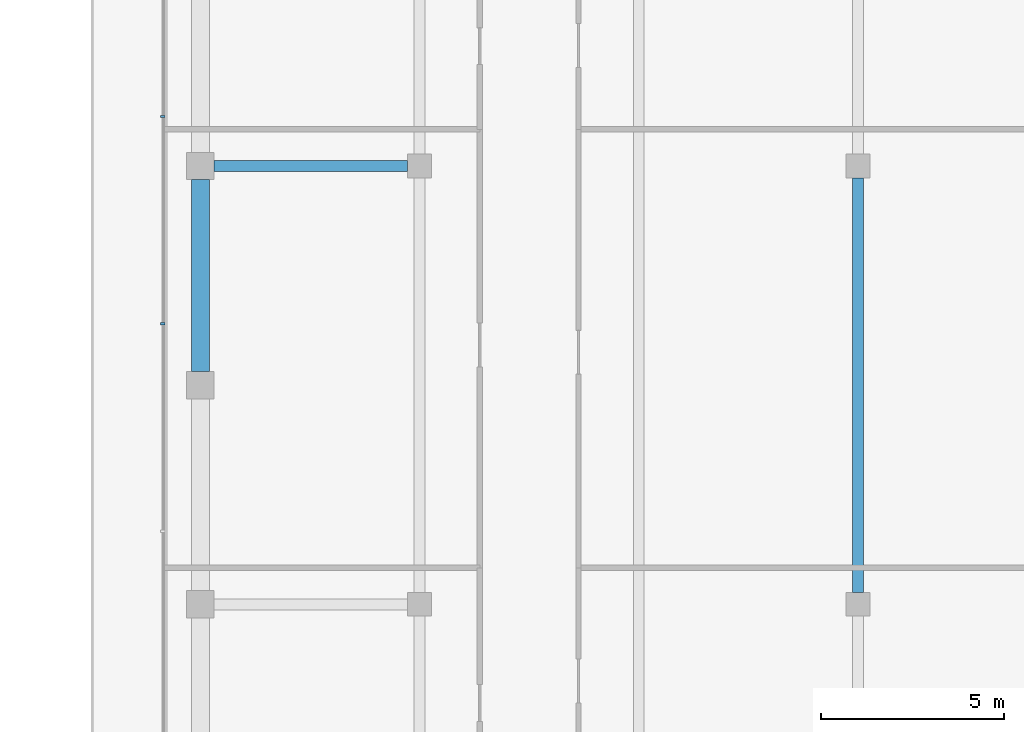
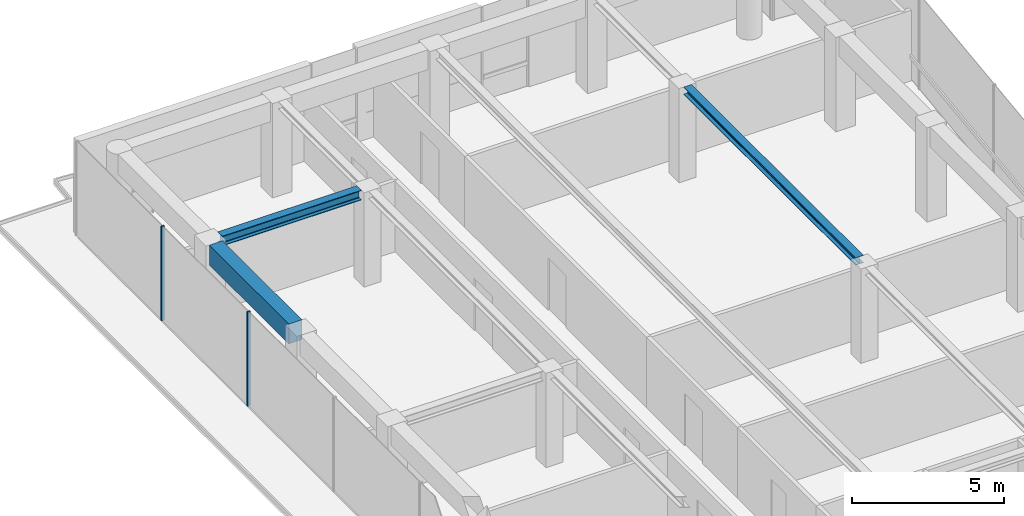
# One storey, part 10 of 22: 3 beams, 2 members, 1 element without a shape of its own.
"""IFC4 building model written with IfcOpenShell, lengths in metres."""

import ifcopenshell
import ifcopenshell.guid

model = None  # the IFC model being written
_history = None  # IfcOwnerHistory: only IFC2X3 demands one
_inside = {}  # id of a spatial element -> (the spatial element, [elements in it])
_under = {}  # id of a project, library or spatial element -> (it, [spatial elements below it])
_declared = {}  # id of a project -> (the project, [libraries it declares])
_typed = {}  # id of a type object -> (the type object, [elements of that type])
_made_of = {}  # id of a material, layer set ... -> (it, [elements and type objects made of it])


def new_model(schema):
    """Start an empty IFC model of exactly this schema.

    Asked for "IFC4X3", IfcOpenShell would pick the latest addendum, in which some entities
    have other attributes; the version numbers below select the first issue.
    IFC2X3 requires an IfcOwnerHistory on every rooted entity: one is made here for all.
    """
    global model, _history
    if schema == "IFC4X3":
        model = ifcopenshell.file(schema_version=(4, 3, 0, 0))
    else:
        model = ifcopenshell.file(schema=schema)
    _inside.clear()
    _under.clear()
    _declared.clear()
    _typed.clear()
    _made_of.clear()
    _history = None
    if model.schema == "IFC2X3":
        org = make("IfcOrganization", Name="unknown")
        user = make(
            "IfcPersonAndOrganization",
            ThePerson=make("IfcPerson", FamilyName="unknown"),
            TheOrganization=org,
        )
        app = make(
            "IfcApplication",
            ApplicationDeveloper=org,
            Version="unknown",
            ApplicationFullName="unknown",
            ApplicationIdentifier="unknown",
        )
        _history = make(
            "IfcOwnerHistory",
            OwningUser=user,
            OwningApplication=app,
            ChangeAction="ADDED",
            CreationDate=0,
        )
    return model


def make(cls, **values):
    """One entity of the class cls with the attributes given. An attribute that is None is left unset."""
    return model.create_entity(
        cls, **{name: value for name, value in values.items() if value is not None}
    )


def rooted(cls, **values):
    """An entity with a GlobalId (a new one), such as an element, a storey or a relation."""
    return make(cls, GlobalId=ifcopenshell.guid.new(), OwnerHistory=_history, **values)


def si_unit(unit_type, name, prefix=None):
    """IfcSIUnit, for example si_unit("LENGTHUNIT", "METRE", prefix="MILLI")."""
    return make("IfcSIUnit", UnitType=unit_type, Prefix=prefix, Name=name)


def assignment(units):
    """IfcUnitAssignment: the units of a project."""
    return None if units is None else make("IfcUnitAssignment", Units=units)


def point(xyz):
    """IfcCartesianPoint."""
    return None if xyz is None else make("IfcCartesianPoint", Coordinates=xyz)


def direction(xyz):
    """IfcDirection."""
    return None if xyz is None else make("IfcDirection", DirectionRatios=xyz)


def frame(location, z_axis=None, x_axis=None):
    """IfcAxis2Placement3D, a coordinate frame: its origin and axes. An axis left out is left unset."""
    return make(
        "IfcAxis2Placement3D",
        Location=point(location),
        Axis=direction(z_axis),
        RefDirection=direction(x_axis),
    )


def frame_2d(location, x_axis=None):
    """IfcAxis2Placement2D, a coordinate frame in the plane: its origin and x axis."""
    return make(
        "IfcAxis2Placement2D", Location=point(location), RefDirection=direction(x_axis)
    )


def origin():
    """The frame at (0, 0, 0) with its axes left unset."""
    return frame((0.0, 0.0, 0.0))


def origin_2d():
    """The frame at (0, 0) in the plane with its x axis left unset."""
    return frame_2d((0.0, 0.0))


def place(relative_to, where):
    """IfcLocalPlacement: puts the frame where relative to a parent placement (None: the world)."""
    return make(
        "IfcLocalPlacement", PlacementRelTo=relative_to, RelativePlacement=where
    )


def context(
    kind, dimensions, precision=None, world=None, true_north=None, identifier=None
):
    """IfcGeometricRepresentationContext, for example the 3D "Model" context."""
    return make(
        "IfcGeometricRepresentationContext",
        ContextIdentifier=identifier,
        ContextType=kind,
        CoordinateSpaceDimension=dimensions,
        Precision=precision,
        WorldCoordinateSystem=world,
        TrueNorth=true_north,
    )


def subcontext(parent, identifier, kind, view, scale=None):
    """IfcGeometricRepresentationSubContext, for example "Body" below "Model"."""
    return make(
        "IfcGeometricRepresentationSubContext",
        ContextIdentifier=identifier,
        ContextType=kind,
        ParentContext=parent,
        TargetScale=scale,
        TargetView=view,
    )


def project(units=None, contexts=None):
    """IfcProject with its units and contexts."""
    return rooted(
        "IfcProject",
        Name="project",
        RepresentationContexts=contexts,
        UnitsInContext=assignment(units),
    )


def spatial(cls, under=None, at=None, **own):
    """A site, building, storey or space (cls), placed at a placement, below another one or the project."""
    s = rooted(cls, ObjectPlacement=at, **own)
    if under is not None:
        _under.setdefault(under.id(), (under, []))[1].append(s)
    return s


def profile(cls, at=None, kind="AREA", **sizes):
    """A parametric profile (cls). Its sizes go by their IFC names, for example OverallWidth=200.0."""
    return make(cls, ProfileType=kind, Position=at, **sizes)


def rectangle(**sizes):
    """IfcRectangleProfileDef."""
    return profile("IfcRectangleProfileDef", **sizes)


def i_section(**sizes):
    """IfcIShapeProfileDef."""
    return profile("IfcIShapeProfileDef", **sizes)


def extrude(swept, where, along, depth):
    """IfcExtrudedAreaSolid: the profile swept, set in the frame where, extruded along a direction by depth."""
    return make(
        "IfcExtrudedAreaSolid",
        SweptArea=swept,
        Position=where,
        ExtrudedDirection=direction(along),
        Depth=depth,
    )


def shape(context_of_items, identifier, shape_type, items):
    """IfcShapeRepresentation: the items that make up one representation, for example the "Body"."""
    return make(
        "IfcShapeRepresentation",
        ContextOfItems=context_of_items,
        RepresentationIdentifier=identifier,
        RepresentationType=shape_type,
        Items=items,
    )


def material(Name=None, Category=None):
    """IfcMaterial."""
    return make("IfcMaterial", Name=Name, Category=Category)


def layer(
    of_material, thickness, ventilated=None, Name=None, Category=None, Priority=None
):
    """IfcMaterialLayer: one layer of a wall or slab, of a material (None: an air gap)."""
    return make(
        "IfcMaterialLayer",
        Material=of_material,
        LayerThickness=thickness,
        IsVentilated=ventilated,
        Name=Name,
        Category=Category,
        Priority=Priority,
    )


def layer_set(layers, Name=None):
    """IfcMaterialLayerSet."""
    return make("IfcMaterialLayerSet", MaterialLayers=layers, LayerSetName=Name)


def material_profile(
    of_material, cross_section, Name=None, Category=None, Priority=None
):
    """IfcMaterialProfile: a cross section and its material."""
    return make(
        "IfcMaterialProfile",
        Name=Name,
        Material=of_material,
        Profile=cross_section,
        Priority=Priority,
        Category=Category,
    )


def profile_set(profiles, Name=None, composite=None):
    """IfcMaterialProfileSet."""
    return make(
        "IfcMaterialProfileSet",
        Name=Name,
        MaterialProfiles=profiles,
        CompositeProfile=composite,
    )


def made_of(thing, what):
    """Note that an element or type object is made of a material, layer set ...; save() writes the relation."""
    if what is not None:
        _made_of.setdefault(what.id(), (what, []))[1].append(thing)
    return thing


def type_object(cls, material=None, **own):
    """A type object (cls), such as IfcWallType, which elements share."""
    return made_of(rooted(cls, **own), material)


def element(
    cls,
    number,
    at=None,
    inside=None,
    cuts=None,
    type_object=None,
    material=None,
    context=None,
    identifier="Body",
    shape_type=None,
    held_by="IfcProductDefinitionShape",
    body=None,
    shapes=None,
    **own,
):
    """One element of the class cls, such as IfcWall. Its Tag is "e" and its number.

    at: its placement. inside: the storey or other place that contains it. cuts: it is an
    opening in that element (IfcRelVoidsElement). A single representation is given by context,
    identifier, shape_type and body (its items); several are given by shapes. held_by: the class
    of the entity that holds the representations. save() writes the other relations.
    """
    e = rooted(cls, Tag="e%d" % number, ObjectPlacement=at, **own)
    if body is not None:
        shapes = [shape(context, identifier, shape_type, body)]
    if shapes is not None:
        e.Representation = make(held_by, Representations=shapes)
    if inside is not None:
        _inside.setdefault(inside.id(), (inside, []))[1].append(e)
    if cuts is not None:
        rooted(
            "IfcRelVoidsElement", RelatingBuildingElement=cuts, RelatedOpeningElement=e
        )
    if type_object is not None:
        _typed.setdefault(type_object.id(), (type_object, []))[1].append(e)
    return made_of(e, material)


def aggregate(whole, parts):
    """IfcRelAggregates: a whole, such as a stair, and the parts it consists of."""
    return rooted("IfcRelAggregates", RelatingObject=whole, RelatedObjects=parts)


def save(model, path):
    """Write the relations noted so far, then the file.

    IfcRelAggregates (storeys below a building ...), IfcRelContainedInSpatialStructure (elements
    in a storey), IfcRelDefinesByType, IfcRelAssociatesMaterial and IfcRelDeclares: one each for
    every whole, place, type object, material and project.
    """
    for whole, parts in _under.values():
        aggregate(whole, parts)
    for where, things in _inside.values():
        rooted(
            "IfcRelContainedInSpatialStructure",
            RelatedElements=things,
            RelatingStructure=where,
        )
    for kind, things in _typed.values():
        rooted("IfcRelDefinesByType", RelatedObjects=things, RelatingType=kind)
    for what, things in _made_of.values():
        rooted("IfcRelAssociatesMaterial", RelatedObjects=things, RelatingMaterial=what)
    for by, libraries in _declared.values():
        rooted("IfcRelDeclares", RelatingContext=by, RelatedDefinitions=libraries)
    model.write(path)


model = new_model("IFC4")

# Units and contexts
model_context = context("Model", 3, precision=1e-05, world=origin(), true_north=direction((0.0, 1.0)))
body_context = subcontext(model_context, "Body", "Model", "MODEL_VIEW")
ifc_project = project(units=[si_unit("LENGTHUNIT", "METRE"), si_unit("AREAUNIT", "SQUARE_METRE"), si_unit("VOLUMEUNIT", "CUBIC_METRE"), si_unit("PLANEANGLEUNIT", "RADIAN"), si_unit("MASSUNIT", "GRAM", prefix="KILO")], contexts=[model_context])

# Site, building, storey
site_placement = place(None, origin())
site = spatial("IfcSite", under=ifc_project, at=site_placement, CompositionType="ELEMENT")
building_placement = place(site_placement, origin())
building = spatial("IfcBuilding", under=site, at=building_placement, Name="Welwitschia Terrace Campus", CompositionType="ELEMENT")
storey_placement = place(building_placement, frame((0.0, 0.0, 268.39990234375)))
storey = spatial("IfcBuildingStorey", under=building, at=storey_placement, Name="L59", CompositionType="ELEMENT", Elevation=268.39990234375)

# Beam
ifc_material_1 = material(Name="Steel S355", Category="steel")
ifc_material_profile_1 = material_profile(ifc_material_1, i_section(OverallWidth=0.300048828125, OverallDepth=0.300048828125, WebThickness=0.010986328125, FlangeThickness=0.01904296875, FilletRadius=0.027099609375, at=origin_2d()))
ifc_profile_set_1 = profile_set([ifc_material_profile_1], Name="Steel S355")
beam_type_1 = type_object("IfcBeamType", Name="Interior girder HE 300 B", PredefinedType="BEAM", material=ifc_profile_set_1)
beam_1_placement = place(storey_placement, frame((18.0, 44.325439453125, 3.650146484375), z_axis=(0.0, 1.0, 0.0), x_axis=(-1.0, 0.0, 0.0)))
element("IfcBeam", 1, at=beam_1_placement, inside=storey, type_object=beam_type_1, Name="Girder GB6", PredefinedType="BEAM", context=body_context, shape_type="SweptSolid", body=[
    extrude(i_section(OverallWidth=0.300048828125, OverallDepth=0.300048828125, WebThickness=0.010986328125, FlangeThickness=0.01904296875, FilletRadius=0.027099609375, at=origin_2d()), origin(), (0.0, 0.0, 1.0), 11.34912109375),
])

# Curtain wall, members
ifc_material_2 = material(Name="Bronze anodised aluminium", Category="aluminium")
ifc_layer = layer(ifc_material_2, 0.1201171875)
ifc_layer_set = layer_set([ifc_layer], Name="Bronze anodised aluminium")
curtain_wall_type = type_object("IfcCurtainWallType", Name="Curtain wall CW2 tower 6000", PredefinedType="NOTDEFINED", material=ifc_layer_set)
curtain_wall_placement = place(storey_placement, origin())
curtain_wall = element("IfcCurtainWall", 2, at=curtain_wall_placement, inside=storey, type_object=curtain_wall_type, Name="CW L59.0.0", PredefinedType="NOTDEFINED")
ifc_material_3 = material(Name="Bronze anodised aluminium", Category="aluminium")
ifc_material_profile_2 = material_profile(ifc_material_3, rectangle(XDim=0.1201171875, YDim=0.06005859375, at=origin_2d()))
ifc_profile_set_2 = profile_set([ifc_material_profile_2], Name="Bronze anodised aluminium")
member_type = type_object("IfcMemberType", Name="Mullion 60x120", PredefinedType="MULLION", material=ifc_profile_set_2)
member_1_placement = place(storey_placement, frame((-1.030029296875, 57.3544921875, 0.0), z_axis=(0.0, 0.0, 1.0), x_axis=(1.0, 0.0, 0.0)))
member_1 = element("IfcMember", 3, at=member_1_placement, type_object=member_type, Name="Mullion L59.0.0.1", PredefinedType="MULLION", context=body_context, shape_type="SweptSolid", body=[
    extrude(rectangle(XDim=0.1201171875, YDim=0.06005859375, at=origin_2d()), origin(), (0.0, 0.0, 1.0), 3.800048828125),
])
member_2_placement = place(storey_placement, frame((-1.030029296875, 51.67919921875, 0.0), z_axis=(0.0, 0.0, 1.0), x_axis=(1.0, 0.0, 0.0)))
member_2 = element("IfcMember", 4, at=member_2_placement, type_object=member_type, Name="Mullion L59.0.0.2", PredefinedType="MULLION", context=body_context, shape_type="SweptSolid", body=[
    extrude(rectangle(XDim=0.1201171875, YDim=0.06005859375, at=origin_2d()), origin(), (0.0, 0.0, 1.0), 3.800048828125),
])
aggregate(curtain_wall, [member_1, member_2])

# Beams
ifc_material_4 = material(Name="Steel S355", Category="steel")
ifc_material_profile_3 = material_profile(ifc_material_4, i_section(OverallWidth=0.300048828125, OverallDepth=0.39990234375, WebThickness=0.013427734375, FlangeThickness=0.02392578125, FilletRadius=0.027099609375, at=origin_2d()))
ifc_profile_set_3 = profile_set([ifc_material_profile_3], Name="Steel S355")
beam_type_2 = type_object("IfcBeamType", Name="Primary beam HE 400 B", PredefinedType="BEAM", material=ifc_profile_set_3)
beam_2_placement = place(storey_placement, frame((0.37548828125, 56.0, 3.60009765625), z_axis=(1.0, 0.0, 0.0), x_axis=(0.0, 1.0, 0.0)))
element("IfcBeam", 5, at=beam_2_placement, inside=storey, type_object=beam_type_2, Name="Primary beam PB6", PredefinedType="BEAM", context=body_context, shape_type="SweptSolid", body=[
    extrude(i_section(OverallWidth=0.300048828125, OverallDepth=0.39990234375, WebThickness=0.013427734375, FlangeThickness=0.02392578125, FilletRadius=0.027099609375, at=origin_2d()), origin(), (0.0, 0.0, 1.0), 5.299072265625),
])
ifc_material_5 = material(Name="Concrete C50/60", Category="concrete")
ifc_material_profile_4 = material_profile(ifc_material_5, rectangle(XDim=0.5, YDim=0.800048828125, at=origin_2d()))
ifc_profile_set_4 = profile_set([ifc_material_profile_4], Name="Concrete C50/60")
beam_type_3 = type_object("IfcBeamType", Name="Ring spandrel 500x800", PredefinedType="SPANDREL", material=ifc_profile_set_4)
beam_3_placement = place(storey_placement, frame((0.0, 55.62451171875, 3.400146484375), z_axis=(0.0, -1.0, 0.0), x_axis=(1.0, 0.0, 0.0)))
element("IfcBeam", 6, at=beam_3_placement, inside=storey, type_object=beam_type_3, Name="Spandrel SP4", PredefinedType="SPANDREL", context=body_context, shape_type="SweptSolid", body=[
    extrude(rectangle(XDim=0.5, YDim=0.800048828125, at=origin_2d()), origin(), (0.0, 0.0, 1.0), 5.2490234375),
])

save(model, "model.ifc")
